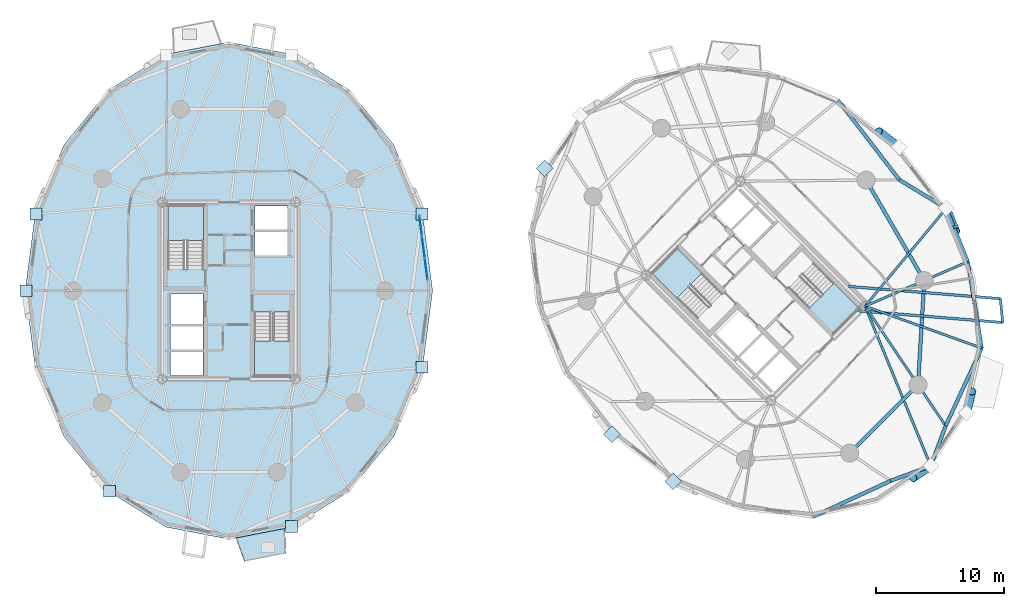
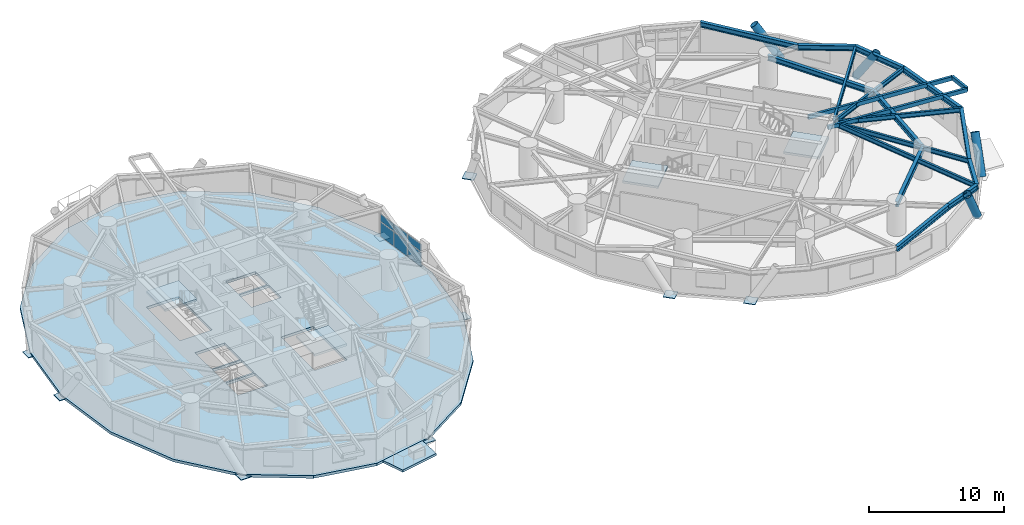
# One storey, part 8 of 18: 19 beams, 15 plates, 6 slabs, 4 members, 5 elements without a shape of their own.
"""IFC4 building model written with IfcOpenShell, lengths in metres."""

from ifc_helpers import new_model, si_unit, direction, frame, origin, origin_2d, place, context, subcontext, project, spatial, polyline, rectangle, hollow_rectangle, hollow_circle, i_section, outline, extrude, source, transform, mapped, material, layer, layer_set, material_profile, profile_set, type_object, element, aggregate, save


model = new_model("IFC4")

# Units and contexts
model_context = context("Model", 3, precision=1e-05, world=origin(), true_north=direction((0.0, 1.0)))
body_context = subcontext(model_context, "Body", "Model", "MODEL_VIEW")
ifc_project = project(units=[si_unit("LENGTHUNIT", "METRE"), si_unit("AREAUNIT", "SQUARE_METRE"), si_unit("VOLUMEUNIT", "CUBIC_METRE"), si_unit("PLANEANGLEUNIT", "RADIAN"), si_unit("MASSUNIT", "GRAM", prefix="KILO")], contexts=[model_context])

# Site, building, storey
site_placement = place(None, origin())
site = spatial("IfcSite", under=ifc_project, at=site_placement, CompositionType="ELEMENT")
building_placement = place(site_placement, origin())
building = spatial("IfcBuilding", under=site, at=building_placement, Name="Cununo Teusaquillo Station Towers", CompositionType="ELEMENT")
storey_placement = place(building_placement, frame((0.0, 0.0, 75.969970703125)))
storey = spatial("IfcBuildingStorey", under=building, at=storey_placement, Name="L23", CompositionType="ELEMENT", Elevation=75.969970703125)

# Beams
ifc_material_1 = material(Name="Steel EN 10025-2 S355J2", Category="steel")
ifc_material_profile_1 = material_profile(ifc_material_1, hollow_rectangle(XDim=0.199951171875, YDim=0.35009765625, WallThickness=0.013916015625, at=origin_2d()), Name="RHS 350x200x14")
ifc_profile_set_1 = profile_set([ifc_material_profile_1], Name="Steel EN 10025-2 S355J2")
beam_type_1 = type_object("IfcBeamType", Name="BM-BAL-CANT", PredefinedType="BEAM", material=ifc_profile_set_1)
beam_1_placement = place(storey_placement, frame((65.349609375, 22.945068359375, 2.4951171875), z_axis=(0.996745262171, -0.080615645749, 0.0), x_axis=(0.080615645749, 0.996745262171, 0.0)))
element("IfcBeam", 1, at=beam_1_placement, inside=storey, type_object=beam_type_1, Name="L23 Tower B Balcony Cantilever Bracket 2A", PredefinedType="BEAM", context=body_context, shape_type="SweptSolid", body=[
    extrude(hollow_rectangle(XDim=0.199951171875, YDim=0.35009765625, WallThickness=0.013916015625, at=origin_2d()), origin(), (0.0, 0.0, 1.0), 11.42626953125),
])
beam_2_placement = place(storey_placement, frame((64.73095703125, 24.835205078125, 2.4951171875), z_axis=(0.996743683159, -0.080635166538, 0.0), x_axis=(0.080635166538, 0.996743683159, 0.0)))
element("IfcBeam", 2, at=beam_2_placement, inside=storey, type_object=beam_type_1, Name="L23 Tower B Balcony Cantilever Bracket 2B", PredefinedType="BEAM", context=body_context, shape_type="SweptSolid", body=[
    extrude(hollow_rectangle(XDim=0.199951171875, YDim=0.35009765625, WallThickness=0.013916015625, at=origin_2d()), origin(), (0.0, 0.0, 1.0), 11.862548828125),
])
ifc_material_2 = material(Name="Steel ASTM A572 Grade 50", Category="steel")
ifc_material_profile_2 = material_profile(ifc_material_2, i_section(OverallWidth=0.180908203125, OverallDepth=0.4169921875, WebThickness=0.010986328125, FlangeThickness=0.018310546875, FilletRadius=0.012939453125, at=origin_2d()), Name="W16X57")
ifc_profile_set_2 = profile_set([ifc_material_profile_2], Name="Steel ASTM A572 Grade 50")
beam_type_2 = type_object("IfcBeamType", Name="BM-JOIST-1", PredefinedType="JOIST", material=ifc_profile_set_2)
beam_3_placement = place(storey_placement, frame((66.024169921875, 23.29443359375, 2.46142578125), z_axis=(0.380485864505, -0.924786735908, 0.0), x_axis=(0.924786735908, 0.380485864505, 0.0)))
element("IfcBeam", 3, at=beam_3_placement, inside=storey, type_object=beam_type_2, Name="L23 Tower B Radial Spandrel Joist V15", PredefinedType="JOIST", context=body_context, shape_type="SweptSolid", body=[
    extrude(i_section(OverallWidth=0.180908203125, OverallDepth=0.4169921875, WebThickness=0.010986328125, FlangeThickness=0.018310546875, FilletRadius=0.012939453125, at=origin_2d()), origin(), (0.0, 0.0, 1.0), 13.44580078125),
])
beam_4_placement = place(storey_placement, frame((66.024169921875, 23.29443359375, 2.46142578125), z_axis=(0.941082771055, -0.338176312038, 0.0), x_axis=(0.338176312038, 0.941082771055, 0.0)))
element("IfcBeam", 4, at=beam_4_placement, inside=storey, type_object=beam_type_2, Name="L23 Tower B Radial Spandrel Joist V17", PredefinedType="JOIST", context=body_context, shape_type="SweptSolid", body=[
    extrude(i_section(OverallWidth=0.180908203125, OverallDepth=0.4169921875, WebThickness=0.010986328125, FlangeThickness=0.018310546875, FilletRadius=0.012939453125, at=origin_2d()), origin(), (0.0, 0.0, 1.0), 9.646484375),
])
beam_5_placement = place(storey_placement, frame((66.024169921875, 23.29443359375, 2.46142578125), z_axis=(0.638372238196, 0.769727799615, 0.0), x_axis=(-0.769727799615, 0.638372238196, 0.0)))
element("IfcBeam", 5, at=beam_5_placement, inside=storey, type_object=beam_type_2, Name="L23 Tower B Radial Spandrel Joist V19", PredefinedType="JOIST", context=body_context, shape_type="SweptSolid", body=[
    extrude(i_section(OverallWidth=0.180908203125, OverallDepth=0.4169921875, WebThickness=0.010986328125, FlangeThickness=0.018310546875, FilletRadius=0.012939453125, at=origin_2d()), origin(), (0.0, 0.0, 1.0), 9.895263671875),
])
ifc_material_3 = material(Name="Steel ASTM A572 Grade 50", Category="steel")
ifc_material_profile_3 = material_profile(ifc_material_3, i_section(OverallWidth=0.180908203125, OverallDepth=0.4169921875, WebThickness=0.010986328125, FlangeThickness=0.018310546875, FilletRadius=0.012939453125, at=origin_2d()), Name="W16X57")
ifc_profile_set_3 = profile_set([ifc_material_profile_3], Name="Steel ASTM A572 Grade 50")
beam_type_3 = type_object("IfcBeamType", Name="BM-RAD-G2", PredefinedType="BEAM", material=ifc_profile_set_3)
beam_6_placement = place(storey_placement, frame((66.024169921875, 23.29443359375, 2.46142578125), z_axis=(0.558572297481, -0.82945583878, 0.0), x_axis=(0.82945583878, 0.558572297481, 0.0)))
element("IfcBeam", 6, at=beam_6_placement, inside=storey, type_object=beam_type_3, Name="L23 Tower B Continuous Overhanging Radial Girder 09", PredefinedType="BEAM", context=body_context, shape_type="SweptSolid", body=[
    extrude(i_section(OverallWidth=0.180908203125, OverallDepth=0.4169921875, WebThickness=0.010986328125, FlangeThickness=0.018310546875, FilletRadius=0.012939453125, at=origin_2d()), origin(), (0.0, 0.0, 1.0), 11.22998046875),
])
beam_7_placement = place(storey_placement, frame((66.024169921875, 23.29443359375, 2.46142578125), z_axis=(0.917654733344, 0.397378648609, 0.0), x_axis=(-0.397378648609, 0.917654733344, 0.0)))
element("IfcBeam", 7, at=beam_7_placement, inside=storey, type_object=beam_type_3, Name="L23 Tower B Continuous Overhanging Radial Girder 10", PredefinedType="BEAM", context=body_context, shape_type="SweptSolid", body=[
    extrude(i_section(OverallWidth=0.180908203125, OverallDepth=0.4169921875, WebThickness=0.010986328125, FlangeThickness=0.018310546875, FilletRadius=0.012939453125, at=origin_2d()), origin(), (0.0, 0.0, 1.0), 8.71484375),
])
ifc_material_4 = material(Name="Steel ASTM A572 Grade 50", Category="steel")
ifc_material_profile_4 = material_profile(ifc_material_4, i_section(OverallWidth=0.280029296875, OverallDepth=0.462890625, WebThickness=0.0107421875, FlangeThickness=0.017333984375, FilletRadius=0.013916015625, at=origin_2d()), Name="W18X76")
ifc_profile_set_4 = profile_set([ifc_material_profile_4], Name="Steel ASTM A572 Grade 50")
beam_type_4 = type_object("IfcBeamType", Name="BM-RING-Z2", PredefinedType="SPANDREL", material=ifc_profile_set_4)
beam_8_placement = place(storey_placement, frame((64.826904296875, 11.853759765625, 2.4384765625), z_axis=(0.707106781187, 0.707106781187, 0.0), x_axis=(-0.707106781187, 0.707106781187, 0.0)))
element("IfcBeam", 8, at=beam_8_placement, inside=storey, type_object=beam_type_4, Name="L23 Tower B Structural Column Ring Girder 08", PredefinedType="SPANDREL", context=body_context, shape_type="SweptSolid", body=[
    extrude(i_section(OverallWidth=0.280029296875, OverallDepth=0.462890625, WebThickness=0.0107421875, FlangeThickness=0.017333984375, FilletRadius=0.013916015625, at=origin_2d()), origin(), (0.0, 0.0, 1.0), 7.522705078125),
])
beam_9_placement = place(storey_placement, frame((70.146240234375, 17.173095703125, 2.4384765625), z_axis=(0.06012979176, 0.998190567048, 0.0), x_axis=(-0.998190567048, 0.06012979176, 0.0)))
element("IfcBeam", 9, at=beam_9_placement, inside=storey, type_object=beam_type_4, Name="L23 Tower B Structural Column Ring Girder 09", PredefinedType="SPANDREL", context=body_context, shape_type="SweptSolid", body=[
    extrude(i_section(OverallWidth=0.280029296875, OverallDepth=0.462890625, WebThickness=0.0107421875, FlangeThickness=0.017333984375, FilletRadius=0.013916015625, at=origin_2d()), origin(), (0.0, 0.0, 1.0), 8.132568359375),
])
beam_10_placement = place(storey_placement, frame((70.63525390625, 25.291015625, 2.4384765625), z_axis=(-0.501311121078, 0.865267103202, 0.0), x_axis=(-0.865267103202, -0.501311121078, 0.0)))
element("IfcBeam", 10, at=beam_10_placement, inside=storey, type_object=beam_type_4, Name="L23 Tower B Structural Column Ring Girder 10", PredefinedType="SPANDREL", context=body_context, shape_type="SweptSolid", body=[
    extrude(i_section(OverallWidth=0.280029296875, OverallDepth=0.462890625, WebThickness=0.0107421875, FlangeThickness=0.017333984375, FilletRadius=0.013916015625, at=origin_2d()), origin(), (0.0, 0.0, 1.0), 9.032958984375),
])
beam_11_placement = place(storey_placement, frame((68.694580078125, 33.12890625, 2.4384765625), z_axis=(-0.610100441726, 0.792324082056, 0.0), x_axis=(-0.792324082056, -0.610100441726, 0.0)))
element("IfcBeam", 11, at=beam_11_placement, inside=storey, type_object=beam_type_4, Name="L23 Tower B Spandrel Ring Beam 01", PredefinedType="SPANDREL", context=body_context, shape_type="SweptSolid", body=[
    extrude(i_section(OverallWidth=0.280029296875, OverallDepth=0.462890625, WebThickness=0.0107421875, FlangeThickness=0.017333984375, FilletRadius=0.013916015625, at=origin_2d()), origin(), (0.0, 0.0, 1.0), 7.84033203125),
])
beam_12_placement = place(storey_placement, frame((61.9677734375, 6.897705078125, 2.4384765625), z_axis=(0.907275870354, 0.420535961689, 0.0), x_axis=(-0.420535961689, 0.907275870354, 0.0)))
element("IfcBeam", 12, at=beam_12_placement, inside=storey, type_object=beam_type_4, Name="L23 Tower B Spandrel Ring Beam 14", PredefinedType="SPANDREL", context=body_context, shape_type="SweptSolid", body=[
    extrude(i_section(OverallWidth=0.280029296875, OverallDepth=0.462890625, WebThickness=0.0107421875, FlangeThickness=0.017333984375, FilletRadius=0.013916015625, at=origin_2d()), origin(), (0.0, 0.0, 1.0), 6.671142578125),
])
for number, where, z_axis, x_axis, name in (
    (13, (68.020263671875, 9.703125, 2.4384765625), (0.937628334414, 0.347639333943, 0.0), (-0.347639333943, 0.937628334414, 0.0), "L23 Tower B Spandrel Ring Beam 15"),
    (14, (71.14013671875, 10.85986328125, 2.4384765625), (0.347639333943, 0.937628334414, 0.0), (-0.937628334414, 0.347639333943, 0.0), "L23 Tower B Spandrel Ring Beam 16"),
):
    element("IfcBeam", number, at=place(storey_placement, frame(where, z_axis=z_axis, x_axis=x_axis)), inside=storey, type_object=beam_type_4, Name=name, PredefinedType="SPANDREL", context=body_context, shape_type="SweptSolid", body=[
        extrude(i_section(OverallWidth=0.280029296875, OverallDepth=0.462890625, WebThickness=0.0107421875, FlangeThickness=0.017333984375, FilletRadius=0.013916015625, at=origin_2d()), origin(), (0.0, 0.0, 1.0), 3.327392578125),
    ])
beam_13_placement = place(storey_placement, frame((72.296875, 13.979736328125, 2.4384765625), z_axis=(0.420535961689, 0.907275870354, 0.0), x_axis=(-0.907275870354, 0.420535961689, 0.0)))
element("IfcBeam", 15, at=beam_13_placement, inside=storey, type_object=beam_type_4, Name="L23 Tower B Spandrel Ring Beam 17", PredefinedType="SPANDREL", context=body_context, shape_type="SweptSolid", body=[
    extrude(i_section(OverallWidth=0.280029296875, OverallDepth=0.462890625, WebThickness=0.0107421875, FlangeThickness=0.017333984375, FilletRadius=0.013916015625, at=origin_2d()), origin(), (0.0, 0.0, 1.0), 6.671142578125),
])
beam_14_placement = place(storey_placement, frame((75.102294921875, 20.0322265625, 2.4384765625), z_axis=(-0.158671232312, 0.987331474246, 0.0), x_axis=(-0.987331474246, -0.158671232312, 0.0)))
element("IfcBeam", 16, at=beam_14_placement, inside=storey, type_object=beam_type_4, Name="L23 Tower B Spandrel Ring Beam 18", PredefinedType="SPANDREL", context=body_context, shape_type="SweptSolid", body=[
    extrude(i_section(OverallWidth=0.280029296875, OverallDepth=0.462890625, WebThickness=0.0107421875, FlangeThickness=0.017333984375, FilletRadius=0.013916015625, at=origin_2d()), origin(), (0.0, 0.0, 1.0), 6.8115234375),
])
beam_15_placement = place(storey_placement, frame((74.021484375, 26.757568359375, 2.4384765625), z_axis=(-0.375042266631, 0.927007712072, 0.0), x_axis=(-0.927007712072, -0.375042266631, 0.0)))
element("IfcBeam", 17, at=beam_15_placement, inside=storey, type_object=beam_type_4, Name="L23 Tower B Spandrel Ring Beam 19", PredefinedType="SPANDREL", context=body_context, shape_type="SweptSolid", body=[
    extrude(i_section(OverallWidth=0.280029296875, OverallDepth=0.462890625, WebThickness=0.0107421875, FlangeThickness=0.017333984375, FilletRadius=0.013916015625, at=origin_2d()), origin(), (0.0, 0.0, 1.0), 4.480712890625),
])
beam_16_placement = place(storey_placement, frame((72.341064453125, 30.9111328125, 2.4384765625), z_axis=(-0.854388492444, 0.519634779416, 0.0), x_axis=(-0.519634779416, -0.854388492444, 0.0)))
element("IfcBeam", 18, at=beam_16_placement, inside=storey, type_object=beam_type_4, Name="L23 Tower B Spandrel Ring Beam 20", PredefinedType="SPANDREL", context=body_context, shape_type="SweptSolid", body=[
    extrude(i_section(OverallWidth=0.280029296875, OverallDepth=0.462890625, WebThickness=0.0107421875, FlangeThickness=0.017333984375, FilletRadius=0.013916015625, at=origin_2d()), origin(), (0.0, 0.0, 1.0), 4.26806640625),
])
ifc_material_5 = material(Name="Steel EN 10025-2 S355J2", Category="steel")
ifc_material_profile_5 = material_profile(ifc_material_5, hollow_rectangle(XDim=0.199951171875, YDim=0.35009765625, WallThickness=0.013916015625, at=origin_2d()), Name="RHS 350x200x14")
ifc_profile_set_5 = profile_set([ifc_material_profile_5], Name="Steel EN 10025-2 S355J2")
beam_type_5 = type_object("IfcBeamType", Name="BM-STAIR-TRIM", PredefinedType="BEAM", material=ifc_profile_set_5)
beam_17_placement = place(storey_placement, frame((76.73876953125, 22.02392578125, 2.525146484375), z_axis=(-0.098634743912, 0.995123704518, 0.0), x_axis=(-0.995123704518, -0.098634743912, 0.0)))
element("IfcBeam", 19, at=beam_17_placement, inside=storey, type_object=beam_type_5, Name="L23 Tower B Balcony Edge Trimmer Beam 2", PredefinedType="BEAM", context=body_context, shape_type="SweptSolid", body=[
    extrude(hollow_rectangle(XDim=0.199951171875, YDim=0.35009765625, WallThickness=0.013916015625, at=origin_2d()), origin(), (0.0, 0.0, 1.0), 1.86376953125),
])

# Members
ifc_material_6 = material(Name="Steel EN 10025-2 S355J2", Category="steel")
ifc_material_profile_6 = material_profile(ifc_material_6, hollow_circle(Radius=0.330078125, WallThickness=0.02490234375, at=origin_2d()), Name="CHS 660x25")
ifc_profile_set_6 = profile_set([ifc_material_profile_6], Name="Steel EN 10025-2 S355J2")
member_type = type_object("IfcMemberType", Name="MBR-DIAG-Z2", PredefinedType="BRACE", material=ifc_profile_set_6)
member_1_placement = place(storey_placement, frame((68.673095703125, 35.673095703125, -0.139892578125), z_axis=(-0.449302990414, 0.34606419194, 0.823630012726), x_axis=(-0.610205273886, -0.792243348803, 0.0)))
element("IfcMember", 20, at=member_1_placement, inside=storey, type_object=member_type, Name="L23 Tower B Folded-Zigzag Diagrid Tube C00", PredefinedType="BRACE", context=body_context, shape_type="SweptSolid", body=[
    extrude(hollow_circle(Radius=0.330078125, WallThickness=0.02490234375, at=origin_2d()), origin(), (0.0, 0.0, 1.0), 3.532958984375),
])
member_2_placement = place(storey_placement, frame((71.14013671875, 10.85986328125, -0.139892578125), z_axis=(-0.410124934173, -0.277231625428, 0.868872927552), x_axis=(0.560024081213, -0.828476329452, 0.0)))
element("IfcMember", 21, at=member_2_placement, inside=storey, type_object=member_type, Name="L23 Tower B Folded-Zigzag Diagrid Tube C14", PredefinedType="BRACE", context=body_context, shape_type="SweptSolid", body=[
    extrude(hollow_circle(Radius=0.330078125, WallThickness=0.02490234375, at=origin_2d()), origin(), (0.0, 0.0, 1.0), 3.34912109375),
])
member_3_placement = place(storey_placement, frame((73.92529296875, 14.980224609375, -0.139892578125), z_axis=(0.115906612964, 0.49752571016, 0.859670765352), x_axis=(-0.973920299704, 0.226890391653, 0.0)))
element("IfcMember", 22, at=member_3_placement, inside=storey, type_object=member_type, Name="L23 Tower B Folded-Zigzag Diagrid Tube C16", PredefinedType="BRACE", context=body_context, shape_type="SweptSolid", body=[
    extrude(hollow_circle(Radius=0.330078125, WallThickness=0.02490234375, at=origin_2d()), origin(), (0.0, 0.0, 1.0), 3.385009765625),
])
member_4_placement = place(storey_placement, frame((72.341064453125, 30.9111328125, -0.139892578125), z_axis=(0.211085752623, -0.513514067291, 0.831712755543), x_axis=(0.924906987989, 0.380193455452, 0.0)))
element("IfcMember", 23, at=member_4_placement, inside=storey, type_object=member_type, Name="L23 Tower B Folded-Zigzag Diagrid Tube C18", PredefinedType="BRACE", context=body_context, shape_type="SweptSolid", body=[
    extrude(hollow_circle(Radius=0.330078125, WallThickness=0.02490234375, at=origin_2d()), origin(), (0.0, 0.0, 1.0), 3.498779296875),
])

# Slab
ifc_material_7 = material(Name="Concrete C50/60", Category="concrete")
ifc_layer_1 = layer(ifc_material_7, 0.2099609375)
ifc_layer_set_1 = layer_set([ifc_layer_1], Name="Concrete C50/60")
slab_type_1 = type_object("IfcSlabType", Name="SLB-BAL-210", PredefinedType="FLOOR", material=ifc_layer_set_1)
slab_1_placement = place(storey_placement, frame((0.0, 0.0, -0.2099609375)))
element("IfcSlab", 24, at=slab_1_placement, inside=storey, type_object=slab_type_1, Name="L23 Tower A Tree Balcony Slab 2", PredefinedType="FLOOR", context=body_context, shape_type="SweptSolid", body=[
    extrude(outline(polyline([(17.041015625, 5.24951171875), (20.8623046875, 5.98779296875), (20.930908203125, 4.05078125), (17.69873046875, 3.426025390625), (17.041015625, 5.24951171875)])), origin(), (0.0, 0.0, 1.0), 0.2099609375),
])

# Stair, slab
ifc_material_8 = material(Name="Concrete C50/60", Category="concrete")
stair_type = type_object("IfcStairType", Name="ST-TWR-1300", PredefinedType="HALF_TURN_STAIR", material=ifc_material_8)
stair_1_placement = place(storey_placement, origin())
stair_1 = element("IfcStair", 25, at=stair_1_placement, inside=storey, type_object=stair_type, Name="L23 Tower A Protected Core Exit Stair 1", PredefinedType="HALF_TURN_STAIR")
ifc_material_9 = material(Name="Concrete C50/60", Category="concrete")
ifc_layer_2 = layer(ifc_material_9, 0.199951171875)
ifc_layer_set_2 = layer_set([ifc_layer_2], Name="Concrete C50/60")
slab_type_2 = type_object("IfcSlabType", Name="SLB-STAIR-LND", PredefinedType="LANDING", material=ifc_layer_set_2)
slab_2_placement = place(storey_placement, frame((0.0, 0.0, 1.255126953125)))
slab_2 = element("IfcSlab", 26, at=slab_2_placement, type_object=slab_type_2, Name="ST-T1-1 landing 1", PredefinedType="LANDING", context=body_context, shape_type="SweptSolid", body=[
    extrude(outline(polyline([(14.52001953125, 28.409912109375), (14.52001953125, 31.159912109375), (11.760009765625, 31.159912109375), (11.760009765625, 28.409912109375), (14.52001953125, 28.409912109375)])), origin(), (0.0, 0.0, 1.0), 0.199951171875),
])
aggregate(stair_1, [slab_2])

stair_2_placement = place(storey_placement, origin())
stair_2 = element("IfcStair", 27, at=stair_2_placement, inside=storey, type_object=stair_type, Name="L23 Tower A Protected Core Exit Stair 2", PredefinedType="HALF_TURN_STAIR")
slab_3_placement = place(storey_placement, frame((0.0, 0.0, 1.255126953125)))
slab_3 = element("IfcSlab", 28, at=slab_3_placement, type_object=slab_type_2, Name="ST-T1-2 landing 1", PredefinedType="LANDING", context=body_context, shape_type="SweptSolid", body=[
    extrude(outline(polyline([(18.47998046875, 20.590087890625), (18.47998046875, 17.840087890625), (21.239990234375, 17.840087890625), (21.239990234375, 20.590087890625), (18.47998046875, 20.590087890625)])), origin(), (0.0, 0.0, 1.0), 0.199951171875),
])
aggregate(stair_2, [slab_3])

stair_3_placement = place(storey_placement, origin())
stair_3 = element("IfcStair", 29, at=stair_3_placement, inside=storey, type_object=stair_type, Name="L23 Tower B Protected Core Exit Stair 1", PredefinedType="HALF_TURN_STAIR")
slab_4_placement = place(storey_placement, frame((0.0, 0.0, 1.255126953125)))
slab_4 = element("IfcSlab", 30, at=slab_4_placement, type_object=slab_type_2, Name="ST-T2-1 landing 1", PredefinedType="LANDING", context=body_context, shape_type="SweptSolid", body=[
    extrude(outline(polyline([(53.335205078125, 25.86474609375), (51.390625, 27.809326171875), (49.43896484375, 25.857666015625), (51.383544921875, 23.9130859375), (53.335205078125, 25.86474609375)])), origin(), (0.0, 0.0, 1.0), 0.199951171875),
])
aggregate(stair_3, [slab_4])

stair_4_placement = place(storey_placement, origin())
stair_4 = element("IfcStair", 31, at=stair_4_placement, inside=storey, type_object=stair_type, Name="L23 Tower B Protected Core Exit Stair 2", PredefinedType="HALF_TURN_STAIR")
slab_5_placement = place(storey_placement, frame((0.0, 0.0, 1.255126953125)))
slab_5 = element("IfcSlab", 32, at=slab_5_placement, type_object=slab_type_2, Name="ST-T2-2 landing 1", PredefinedType="LANDING", context=body_context, shape_type="SweptSolid", body=[
    extrude(outline(polyline([(61.664794921875, 23.13525390625), (63.609375, 21.190673828125), (65.56103515625, 23.142333984375), (63.616455078125, 25.0869140625), (61.664794921875, 23.13525390625)])), origin(), (0.0, 0.0, 1.0), 0.199951171875),
])
aggregate(stair_4, [slab_5])

# Slab
ifc_material_10 = material(Name="Concrete C40/50", Category="concrete")
ifc_layer_3 = layer(ifc_material_10, 0.239990234375)
ifc_layer_set_3 = layer_set([ifc_layer_3], Name="Concrete C40/50")
slab_type_3 = type_object("IfcSlabType", Name="SLB-Z2-240", PredefinedType="FLOOR", material=ifc_layer_set_3)
slab_6_placement = place(storey_placement, frame((0.0, 0.0, -0.239990234375)))
element("IfcSlab", 33, at=slab_6_placement, inside=storey, type_object=slab_type_3, Name="L23 Tower A Floor Slab", PredefinedType="FLOOR", context=body_context, shape_type="SweptSolid", body=[
    extrude(outline(polyline([(32.361083984375, 24.5), (31.584716796875, 30.4794921875), (29.331787109375, 35.87353515625), (25.822998046875, 40.154541015625), (21.4013671875, 42.90283203125), (16.5, 43.85009765625), (11.5986328125, 42.90283203125), (7.177001953125, 40.154541015625), (3.668212890625, 35.87353515625), (1.415283203125, 30.4794921875), (0.638916015625, 24.5), (1.415283203125, 18.5205078125), (3.668212890625, 13.12646484375), (7.177001953125, 8.845458984375), (11.5986328125, 6.09716796875), (16.5, 5.14990234375), (21.4013671875, 6.09716796875), (25.822998046875, 8.845458984375), (29.331787109375, 13.12646484375), (31.584716796875, 18.5205078125), (32.361083984375, 24.5)]), holes=[polyline([(14.52001953125, 26.176025390625), (14.52001953125, 31.159912109375), (11.760009765625, 31.159912109375), (11.760009765625, 26.176025390625), (14.52001953125, 26.176025390625)]), polyline([(18.47998046875, 22.823974609375), (18.47998046875, 17.840087890625), (21.239990234375, 17.840087890625), (21.239990234375, 22.823974609375), (18.47998046875, 22.823974609375)]), polyline([(11.949951171875, 21.85009765625), (14.47998046875, 21.85009765625), (14.47998046875, 24.25), (11.949951171875, 24.25), (11.949951171875, 21.85009765625)]), polyline([(11.949951171875, 17.89990234375), (14.47998046875, 17.89990234375), (14.47998046875, 19.75), (11.949951171875, 19.75), (11.949951171875, 17.89990234375)]), polyline([(11.949951171875, 19.89990234375), (14.47998046875, 19.89990234375), (14.47998046875, 21.75), (11.949951171875, 21.75), (11.949951171875, 19.89990234375)]), polyline([(18.52001953125, 27.25), (21.050048828125, 27.25), (21.050048828125, 29.10009765625), (18.52001953125, 29.10009765625), (18.52001953125, 27.25)]), polyline([(18.52001953125, 29.25), (21.050048828125, 29.25), (21.050048828125, 31.10009765625), (18.52001953125, 31.10009765625), (18.52001953125, 29.25)])]), origin(), (0.0, 0.0, 1.0), 0.239990234375),
])

# Plates
ifc_material_11 = material(Name="Steel ASTM A572 Grade 50", Category="steel")
ifc_layer_4 = layer(ifc_material_11, 0.050048828125)
ifc_layer_set_4 = layer_set([ifc_layer_4], Name="Steel ASTM A572 Grade 50")
plate_type_1 = type_object("IfcPlateType", Name="PLT-NODE-DN1", PredefinedType="USERDEFINED", material=ifc_layer_set_4)
shared_shape_1 = source(origin(), body_context, "Body", "SweptSolid", [
    extrude(rectangle(XDim=0.919921875, YDim=0.919921875, at=origin_2d()), origin(), (0.0, 0.0, 1.0), 0.050048828125),
])
for number, where, z_axis, x_axis, name in (
    (34, (31.527587890625, 30.4609375, -0.1650390625), (0.0, 0.0, 1.0), (1.0, 0.0, 0.0), "L23 Tower A Diagrid Node Assembly C01"),
    (35, (1.472412109375, 30.4609375, -0.1650390625), (0.0, 0.0, 1.0), (1.0, 0.0, 0.0), "L23 Tower A Diagrid Node Assembly C08"),
    (36, (0.698974609375, 24.5, -0.1650390625), (0.0, 0.0, 1.0), (1.0, 0.0, 0.0), "L23 Tower A Diagrid Node Assembly C10"),
    (37, (7.21240234375, 8.89404296875, -0.1650390625), (0.0, 0.0, 1.0), (1.0, 0.0, 0.0), "L23 Tower A Diagrid Node Assembly C12"),
    (38, (21.3828125, 6.154052734375, -0.1650390625), (0.0, 0.0, 1.0), (1.0, 0.0, 0.0), "L23 Tower A Diagrid Node Assembly C16"),
    (39, (31.527587890625, 18.5390625, -0.1650390625), (0.0, 0.0, 1.0), (1.0, 0.0, 0.0), "L23 Tower A Diagrid Node Assembly C18"),
    (40, (41.07470703125, 34.019775390625, -0.1650390625), (0.0, 0.0, 1.0), (0.707106781187, 0.707106781187, 0.0), "L23 Tower B Diagrid Node Assembly C06"),
    (41, (46.326904296875, 13.326904296875, -0.1650390625), (0.0, 0.0, 1.0), (0.707106781187, 0.707106781187, 0.0), "L23 Tower B Diagrid Node Assembly C09"),
    (42, (51.0888671875, 9.658935546875, -0.1650390625), (0.0, 0.0, 1.0), (0.707106781187, 0.707106781187, 0.0), "L23 Tower B Diagrid Node Assembly C11"),
):
    element("IfcPlate", number, at=place(storey_placement, frame(where, z_axis=z_axis, x_axis=x_axis)), inside=storey, type_object=plate_type_1, Name=name, ObjectType="GUSSET PLATE", PredefinedType="USERDEFINED", context=body_context, shape_type="MappedRepresentation", body=[
        mapped(shared_shape_1, transform((0.0, 0.0, 0.0), x_axis=(1.0, 0.0, 0.0), y_axis=(0.0, 1.0, 0.0), z_axis=(0.0, 0.0, 1.0), scale=1.0)),
    ])

# Curtain wall, plates
ifc_material_12 = material(Name="Ceramic-fritted dark low-E double glazing", Category="glass")
ifc_layer_5 = layer(ifc_material_12, 0.179931640625)
ifc_layer_set_5 = layer_set([ifc_layer_5], Name="Ceramic-fritted dark low-E double glazing")
curtain_wall_type = type_object("IfcCurtainWallType", Name="CW-SYS-04", PredefinedType="USERDEFINED", material=ifc_layer_set_5)
curtain_wall_placement = place(storey_placement, origin())
curtain_wall = element("IfcCurtainWall", 43, at=curtain_wall_placement, inside=storey, type_object=curtain_wall_type, Name="L23 Tower A Facade Curtain Wall C00", ObjectType="FRITTED GLAZING", PredefinedType="USERDEFINED")
ifc_material_13 = material(Name="Ceramic-fritted dark low-E double glazing", Category="glass")
ifc_layer_6 = layer(ifc_material_13, 0.028076171875)
ifc_layer_set_6 = layer_set([ifc_layer_6], Name="Ceramic-fritted dark low-E double glazing")
plate_type_2 = type_object("IfcPlateType", Name="CWP-FRIT-28", PredefinedType="CURTAIN_PANEL", material=ifc_layer_set_6)
shared_shape_2 = source(origin(), body_context, "Body", "SweptSolid", [
    extrude(rectangle(XDim=1.59228515625, YDim=0.028076171875, at=origin_2d()), origin(), (0.0, 0.0, 1.0), 1.31103515625),
])
plate_1_placement = place(storey_placement, frame((31.429443359375, 29.533935546875, 0.070068359375), z_axis=(0.0, 0.0, 1.0), x_axis=(0.128335852387, -0.991730764367, 0.0)))
plate_1 = element("IfcPlate", 44, at=plate_1_placement, type_object=plate_type_2, Name="CW-04 panel 1.1", PredefinedType="CURTAIN_PANEL", context=body_context, shape_type="MappedRepresentation", body=[
    mapped(shared_shape_2, transform((0.0, 0.0, 0.0), x_axis=(1.0, 0.0, 0.0), y_axis=(0.0, 1.0, 0.0), z_axis=(0.0, 0.0, 1.0), scale=1.0)),
])
plate_2_placement = place(storey_placement, frame((31.86083984375, 26.201904296875, 0.070068359375), z_axis=(0.0, 0.0, 1.0), x_axis=(0.128335852387, -0.991730764367, 0.0)))
plate_2 = element("IfcPlate", 45, at=plate_2_placement, type_object=plate_type_2, Name="CW-04 panel 3.1", PredefinedType="CURTAIN_PANEL", context=body_context, shape_type="MappedRepresentation", body=[
    mapped(shared_shape_2, transform((0.0, 0.0, 0.0), x_axis=(1.0, 0.0, 0.0), y_axis=(0.0, 1.0, 0.0), z_axis=(0.0, 0.0, 1.0), scale=1.0)),
])
shared_shape_3 = source(origin(), body_context, "Body", "SweptSolid", [
    extrude(rectangle(XDim=1.59228515625, YDim=0.028076171875, at=origin_2d()), origin(), (0.0, 0.0, 1.0), 0.657958984375),
])
plate_3_placement = place(storey_placement, frame((31.429443359375, 29.533935546875, 1.451171875), z_axis=(0.0, 0.0, 1.0), x_axis=(0.128335852387, -0.991730764367, 0.0)))
plate_3 = element("IfcPlate", 46, at=plate_3_placement, type_object=plate_type_2, Name="CW-04 panel 1.2", PredefinedType="CURTAIN_PANEL", context=body_context, shape_type="MappedRepresentation", body=[
    mapped(shared_shape_3, transform((0.0, 0.0, 0.0), x_axis=(1.0, 0.0, 0.0), y_axis=(0.0, 1.0, 0.0), z_axis=(0.0, 0.0, 1.0), scale=1.0)),
])
plate_4_placement = place(storey_placement, frame((31.86083984375, 26.201904296875, 1.451171875), z_axis=(0.0, 0.0, 1.0), x_axis=(0.128335852387, -0.991730764367, 0.0)))
plate_4 = element("IfcPlate", 47, at=plate_4_placement, type_object=plate_type_2, Name="CW-04 panel 3.2", PredefinedType="CURTAIN_PANEL", context=body_context, shape_type="MappedRepresentation", body=[
    mapped(shared_shape_3, transform((0.0, 0.0, 0.0), x_axis=(1.0, 0.0, 0.0), y_axis=(0.0, 1.0, 0.0), z_axis=(0.0, 0.0, 1.0), scale=1.0)),
])
shared_shape_4 = source(origin(), body_context, "Body", "SweptSolid", [
    extrude(rectangle(XDim=1.62744140625, YDim=0.028076171875, at=origin_2d()), origin(), (0.0, 0.0, 1.0), 1.31103515625),
])
plate_5_placement = place(storey_placement, frame((31.645263671875, 27.867919921875, 0.070068359375), z_axis=(0.0, 0.0, 1.0), x_axis=(0.128335852387, -0.991730764367, 0.0)))
plate_5 = element("IfcPlate", 48, at=plate_5_placement, type_object=plate_type_2, Name="CW-04 panel 2.1", PredefinedType="CURTAIN_PANEL", context=body_context, shape_type="MappedRepresentation", body=[
    mapped(shared_shape_4, transform((0.0, 0.0, 0.0), x_axis=(1.0, 0.0, 0.0), y_axis=(0.0, 1.0, 0.0), z_axis=(0.0, 0.0, 1.0), scale=1.0)),
])
shared_shape_5 = source(origin(), body_context, "Body", "SweptSolid", [
    extrude(rectangle(XDim=1.62744140625, YDim=0.028076171875, at=origin_2d()), origin(), (0.0, 0.0, 1.0), 0.657958984375),
])
plate_6_placement = place(storey_placement, frame((31.645263671875, 27.867919921875, 1.451171875), z_axis=(0.0, 0.0, 1.0), x_axis=(0.128335852387, -0.991730764367, 0.0)))
plate_6 = element("IfcPlate", 49, at=plate_6_placement, type_object=plate_type_2, Name="CW-04 panel 2.2", PredefinedType="CURTAIN_PANEL", context=body_context, shape_type="MappedRepresentation", body=[
    mapped(shared_shape_5, transform((0.0, 0.0, 0.0), x_axis=(1.0, 0.0, 0.0), y_axis=(0.0, 1.0, 0.0), z_axis=(0.0, 0.0, 1.0), scale=1.0)),
])
aggregate(curtain_wall, [plate_1, plate_3, plate_5, plate_6, plate_2, plate_4])

save(model, "model.ifc")
